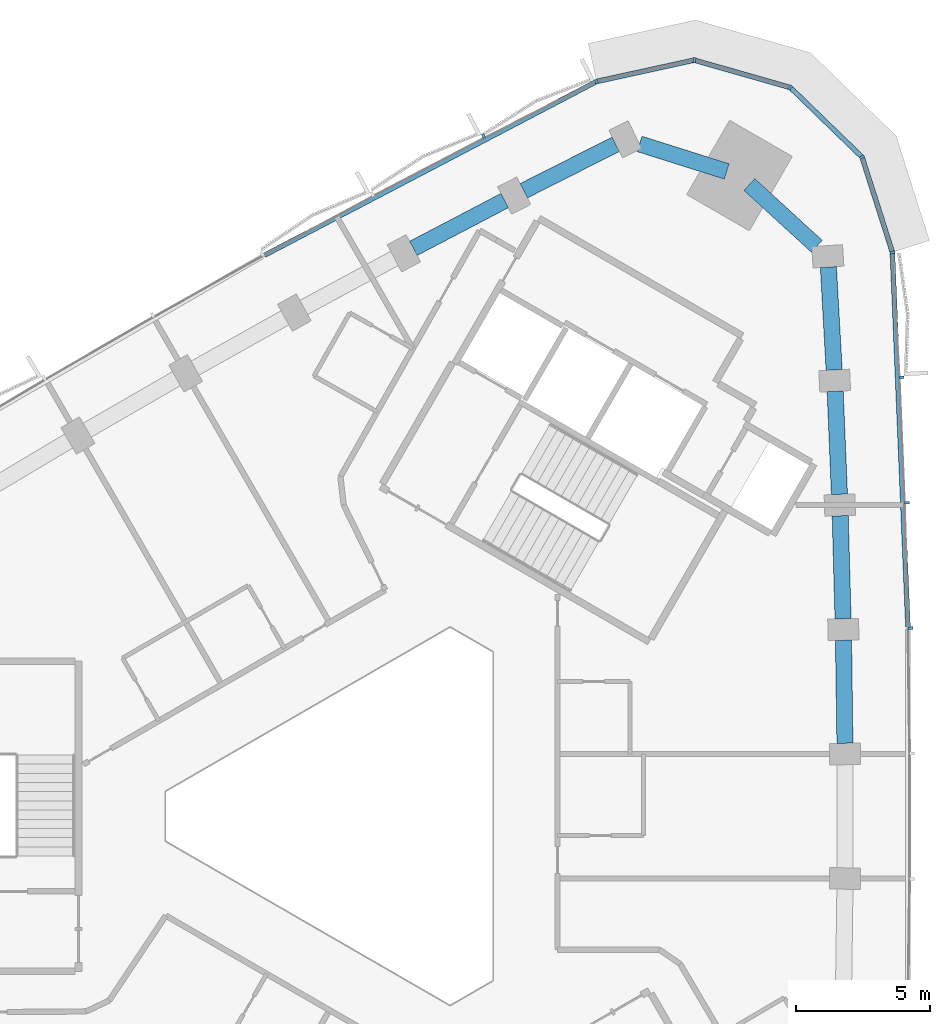
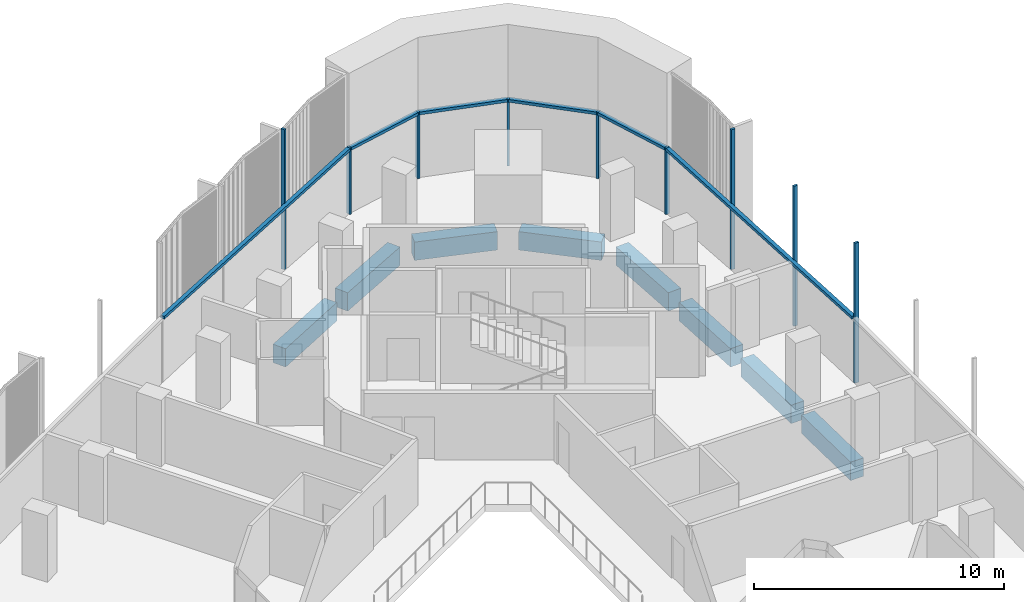
# One storey, part 5 of 13: 15 members, 8 beams, 2 elements without a shape of their own.
"""IFC4 building model written with IfcOpenShell, lengths in metres."""

import ifcopenshell
import ifcopenshell.guid

model = None  # the IFC model being written
_history = None  # IfcOwnerHistory: only IFC2X3 demands one
_inside = {}  # id of a spatial element -> (the spatial element, [elements in it])
_under = {}  # id of a project, library or spatial element -> (it, [spatial elements below it])
_declared = {}  # id of a project -> (the project, [libraries it declares])
_typed = {}  # id of a type object -> (the type object, [elements of that type])
_made_of = {}  # id of a material, layer set ... -> (it, [elements and type objects made of it])


def new_model(schema):
    """Start an empty IFC model of exactly this schema.

    Asked for "IFC4X3", IfcOpenShell would pick the latest addendum, in which some entities
    have other attributes; the version numbers below select the first issue.
    IFC2X3 requires an IfcOwnerHistory on every rooted entity: one is made here for all.
    """
    global model, _history
    if schema == "IFC4X3":
        model = ifcopenshell.file(schema_version=(4, 3, 0, 0))
    else:
        model = ifcopenshell.file(schema=schema)
    _inside.clear()
    _under.clear()
    _declared.clear()
    _typed.clear()
    _made_of.clear()
    _history = None
    if model.schema == "IFC2X3":
        org = make("IfcOrganization", Name="unknown")
        user = make(
            "IfcPersonAndOrganization",
            ThePerson=make("IfcPerson", FamilyName="unknown"),
            TheOrganization=org,
        )
        app = make(
            "IfcApplication",
            ApplicationDeveloper=org,
            Version="unknown",
            ApplicationFullName="unknown",
            ApplicationIdentifier="unknown",
        )
        _history = make(
            "IfcOwnerHistory",
            OwningUser=user,
            OwningApplication=app,
            ChangeAction="ADDED",
            CreationDate=0,
        )
    return model


def make(cls, **values):
    """One entity of the class cls with the attributes given. An attribute that is None is left unset."""
    return model.create_entity(
        cls, **{name: value for name, value in values.items() if value is not None}
    )


def rooted(cls, **values):
    """An entity with a GlobalId (a new one), such as an element, a storey or a relation."""
    return make(cls, GlobalId=ifcopenshell.guid.new(), OwnerHistory=_history, **values)


def si_unit(unit_type, name, prefix=None):
    """IfcSIUnit, for example si_unit("LENGTHUNIT", "METRE", prefix="MILLI")."""
    return make("IfcSIUnit", UnitType=unit_type, Prefix=prefix, Name=name)


def assignment(units):
    """IfcUnitAssignment: the units of a project."""
    return None if units is None else make("IfcUnitAssignment", Units=units)


def point(xyz):
    """IfcCartesianPoint."""
    return None if xyz is None else make("IfcCartesianPoint", Coordinates=xyz)


def direction(xyz):
    """IfcDirection."""
    return None if xyz is None else make("IfcDirection", DirectionRatios=xyz)


def frame(location, z_axis=None, x_axis=None):
    """IfcAxis2Placement3D, a coordinate frame: its origin and axes. An axis left out is left unset."""
    return make(
        "IfcAxis2Placement3D",
        Location=point(location),
        Axis=direction(z_axis),
        RefDirection=direction(x_axis),
    )


def frame_2d(location, x_axis=None):
    """IfcAxis2Placement2D, a coordinate frame in the plane: its origin and x axis."""
    return make(
        "IfcAxis2Placement2D", Location=point(location), RefDirection=direction(x_axis)
    )


def origin():
    """The frame at (0, 0, 0) with its axes left unset."""
    return frame((0.0, 0.0, 0.0))


def origin_2d():
    """The frame at (0, 0) in the plane with its x axis left unset."""
    return frame_2d((0.0, 0.0))


def place(relative_to, where):
    """IfcLocalPlacement: puts the frame where relative to a parent placement (None: the world)."""
    return make(
        "IfcLocalPlacement", PlacementRelTo=relative_to, RelativePlacement=where
    )


def context(
    kind, dimensions, precision=None, world=None, true_north=None, identifier=None
):
    """IfcGeometricRepresentationContext, for example the 3D "Model" context."""
    return make(
        "IfcGeometricRepresentationContext",
        ContextIdentifier=identifier,
        ContextType=kind,
        CoordinateSpaceDimension=dimensions,
        Precision=precision,
        WorldCoordinateSystem=world,
        TrueNorth=true_north,
    )


def subcontext(parent, identifier, kind, view, scale=None):
    """IfcGeometricRepresentationSubContext, for example "Body" below "Model"."""
    return make(
        "IfcGeometricRepresentationSubContext",
        ContextIdentifier=identifier,
        ContextType=kind,
        ParentContext=parent,
        TargetScale=scale,
        TargetView=view,
    )


def project(units=None, contexts=None):
    """IfcProject with its units and contexts."""
    return rooted(
        "IfcProject",
        Name="project",
        RepresentationContexts=contexts,
        UnitsInContext=assignment(units),
    )


def spatial(cls, under=None, at=None, **own):
    """A site, building, storey or space (cls), placed at a placement, below another one or the project."""
    s = rooted(cls, ObjectPlacement=at, **own)
    if under is not None:
        _under.setdefault(under.id(), (under, []))[1].append(s)
    return s


def profile(cls, at=None, kind="AREA", **sizes):
    """A parametric profile (cls). Its sizes go by their IFC names, for example OverallWidth=200.0."""
    return make(cls, ProfileType=kind, Position=at, **sizes)


def rectangle(**sizes):
    """IfcRectangleProfileDef."""
    return profile("IfcRectangleProfileDef", **sizes)


def extrude(swept, where, along, depth):
    """IfcExtrudedAreaSolid: the profile swept, set in the frame where, extruded along a direction by depth."""
    return make(
        "IfcExtrudedAreaSolid",
        SweptArea=swept,
        Position=where,
        ExtrudedDirection=direction(along),
        Depth=depth,
    )


def shape(context_of_items, identifier, shape_type, items):
    """IfcShapeRepresentation: the items that make up one representation, for example the "Body"."""
    return make(
        "IfcShapeRepresentation",
        ContextOfItems=context_of_items,
        RepresentationIdentifier=identifier,
        RepresentationType=shape_type,
        Items=items,
    )


def material(Name=None, Category=None):
    """IfcMaterial."""
    return make("IfcMaterial", Name=Name, Category=Category)


def material_profile(
    of_material, cross_section, Name=None, Category=None, Priority=None
):
    """IfcMaterialProfile: a cross section and its material."""
    return make(
        "IfcMaterialProfile",
        Name=Name,
        Material=of_material,
        Profile=cross_section,
        Priority=Priority,
        Category=Category,
    )


def profile_set(profiles, Name=None, composite=None):
    """IfcMaterialProfileSet."""
    return make(
        "IfcMaterialProfileSet",
        Name=Name,
        MaterialProfiles=profiles,
        CompositeProfile=composite,
    )


def made_of(thing, what):
    """Note that an element or type object is made of a material, layer set ...; save() writes the relation."""
    if what is not None:
        _made_of.setdefault(what.id(), (what, []))[1].append(thing)
    return thing


def type_object(cls, material=None, **own):
    """A type object (cls), such as IfcWallType, which elements share."""
    return made_of(rooted(cls, **own), material)


def element(
    cls,
    number,
    at=None,
    inside=None,
    cuts=None,
    type_object=None,
    material=None,
    context=None,
    identifier="Body",
    shape_type=None,
    held_by="IfcProductDefinitionShape",
    body=None,
    shapes=None,
    **own,
):
    """One element of the class cls, such as IfcWall. Its Tag is "e" and its number.

    at: its placement. inside: the storey or other place that contains it. cuts: it is an
    opening in that element (IfcRelVoidsElement). A single representation is given by context,
    identifier, shape_type and body (its items); several are given by shapes. held_by: the class
    of the entity that holds the representations. save() writes the other relations.
    """
    e = rooted(cls, Tag="e%d" % number, ObjectPlacement=at, **own)
    if body is not None:
        shapes = [shape(context, identifier, shape_type, body)]
    if shapes is not None:
        e.Representation = make(held_by, Representations=shapes)
    if inside is not None:
        _inside.setdefault(inside.id(), (inside, []))[1].append(e)
    if cuts is not None:
        rooted(
            "IfcRelVoidsElement", RelatingBuildingElement=cuts, RelatedOpeningElement=e
        )
    if type_object is not None:
        _typed.setdefault(type_object.id(), (type_object, []))[1].append(e)
    return made_of(e, material)


def aggregate(whole, parts):
    """IfcRelAggregates: a whole, such as a stair, and the parts it consists of."""
    return rooted("IfcRelAggregates", RelatingObject=whole, RelatedObjects=parts)


def save(model, path):
    """Write the relations noted so far, then the file.

    IfcRelAggregates (storeys below a building ...), IfcRelContainedInSpatialStructure (elements
    in a storey), IfcRelDefinesByType, IfcRelAssociatesMaterial and IfcRelDeclares: one each for
    every whole, place, type object, material and project.
    """
    for whole, parts in _under.values():
        aggregate(whole, parts)
    for where, things in _inside.values():
        rooted(
            "IfcRelContainedInSpatialStructure",
            RelatedElements=things,
            RelatingStructure=where,
        )
    for kind, things in _typed.values():
        rooted("IfcRelDefinesByType", RelatedObjects=things, RelatingType=kind)
    for what, things in _made_of.values():
        rooted("IfcRelAssociatesMaterial", RelatedObjects=things, RelatingMaterial=what)
    for by, libraries in _declared.values():
        rooted("IfcRelDeclares", RelatingContext=by, RelatedDefinitions=libraries)
    model.write(path)


model = new_model("IFC4")

# Units and contexts
model_context = context("Model", 3, precision=1e-05, world=origin(), true_north=direction((0.0, 1.0)))
body_context = subcontext(model_context, "Body", "Model", "MODEL_VIEW")
ifc_project = project(units=[si_unit("LENGTHUNIT", "METRE"), si_unit("AREAUNIT", "SQUARE_METRE"), si_unit("VOLUMEUNIT", "CUBIC_METRE"), si_unit("PLANEANGLEUNIT", "RADIAN"), si_unit("MASSUNIT", "GRAM", prefix="KILO")], contexts=[model_context])

# Site, building, storey
site_placement = place(None, origin())
site = spatial("IfcSite", under=ifc_project, at=site_placement, CompositionType="ELEMENT")
building_placement = place(site_placement, origin())
building = spatial("IfcBuilding", under=site, at=building_placement, Name="Tamra Quay Hotel Tower", CompositionType="ELEMENT")
storey_placement = place(building_placement, frame((0.0, 0.0, 186.39990234375)))
storey = spatial("IfcBuildingStorey", under=building, at=storey_placement, Name="L46", CompositionType="ELEMENT", Elevation=186.39990234375)

# Curtain wall, members
ifc_material_1 = material(Name="Aluminium 6063 anodised dark grey", Category="aluminium")
curtain_wall_type_1 = type_object("IfcCurtainWallType", Name="CW1 CURTAIN WALL", PredefinedType="NOTDEFINED", material=ifc_material_1)
curtain_wall_1_placement = place(storey_placement, origin())
curtain_wall_1 = element("IfcCurtainWall", 1, at=curtain_wall_1_placement, inside=storey, type_object=curtain_wall_type_1, Name="CW1 east face L46", PredefinedType="NOTDEFINED")
ifc_material_profile_1 = material_profile(ifc_material_1, rectangle(XDim=0.179931640625, YDim=0.10009765625, at=origin_2d()), Name="MULLION 100X180")
ifc_profile_set_1 = profile_set([ifc_material_profile_1], Name="Aluminium 6063 anodised dark grey")
member_type_1 = type_object("IfcMemberType", Name="MULLION CW1 Z4", PredefinedType="MULLION", material=ifc_profile_set_1)
member_1_placement = place(storey_placement, frame((20.1484375, 7.008544921875, 0.0), z_axis=(0.0, 0.0, 1.0), x_axis=(0.999783229349, 0.020820526248, 0.0)))
member_1 = element("IfcMember", 2, at=member_1_placement, type_object=member_type_1, Name="CW1 mullion L46.E.7", PredefinedType="MULLION", context=body_context, shape_type="SweptSolid", body=[
    extrude(rectangle(XDim=0.179931640625, YDim=0.10009765625, at=origin_2d()), origin(), (0.0, 0.0, 1.0), 6.85009765625),
])
member_2_placement = place(storey_placement, frame((20.018798828125, 11.677734375, 0.0), z_axis=(0.0, 0.0, 1.0), x_axis=(0.999398564951, 0.034677202512, 0.0)))
member_2 = element("IfcMember", 3, at=member_2_placement, type_object=member_type_1, Name="CW1 mullion L46.E.8", PredefinedType="MULLION", context=body_context, shape_type="SweptSolid", body=[
    extrude(rectangle(XDim=0.179931640625, YDim=0.10009765625, at=origin_2d()), origin(), (0.0, 0.0, 1.0), 6.85009765625),
])
member_3_placement = place(storey_placement, frame((19.824462890625, 16.346435546875, 0.0), z_axis=(0.0, 0.0, 1.0), x_axis=(0.998822750777, 0.048508891255, 0.0)))
member_3 = element("IfcMember", 4, at=member_3_placement, type_object=member_type_1, Name="CW1 mullion L46.E.9", PredefinedType="MULLION", context=body_context, shape_type="SweptSolid", body=[
    extrude(rectangle(XDim=0.179931640625, YDim=0.10009765625, at=origin_2d()), origin(), (0.0, 0.0, 1.0), 6.85009765625),
])
member_4_placement = place(storey_placement, frame((19.4755859375, 21.00537109375, 0.0), z_axis=(0.0, 0.0, 1.0), x_axis=(0.98350948997, 0.180856526394, 0.0)))
member_4 = element("IfcMember", 5, at=member_4_placement, type_object=member_type_1, Name="CW1 mullion L46.E.10", PredefinedType="MULLION", context=body_context, shape_type="SweptSolid", body=[
    extrude(rectangle(XDim=0.179931640625, YDim=0.10009765625, at=origin_2d()), origin(), (0.0, 0.0, 1.0), 3.25),
])
member_5_placement = place(storey_placement, frame((18.345947265625, 24.553466796875, 0.0), z_axis=(0.0, 0.0, 1.0), x_axis=(0.85012217174, 0.526585504089, 0.0)))
member_5 = element("IfcMember", 6, at=member_5_placement, type_object=member_type_1, Name="CW1 mullion L46.E.11", PredefinedType="MULLION", context=body_context, shape_type="SweptSolid", body=[
    extrude(rectangle(XDim=0.179931640625, YDim=0.10009765625, at=origin_2d()), origin(), (0.0, 0.0, 1.0), 3.25),
])
member_6_placement = place(storey_placement, frame((15.67236328125, 27.145263671875, 0.0), z_axis=(0.0, 0.0, 1.0), x_axis=(0.5, 0.866025403784, 0.0)))
member_6 = element("IfcMember", 7, at=member_6_placement, type_object=member_type_1, Name="CW1 mullion L46.E.12", PredefinedType="MULLION", context=body_context, shape_type="SweptSolid", body=[
    extrude(rectangle(XDim=0.179931640625, YDim=0.10009765625, at=origin_2d()), origin(), (0.0, 0.0, 1.0), 3.25),
])
member_7_placement = place(storey_placement, frame((12.091064453125, 28.164794921875, 0.0), z_axis=(0.0, 0.0, 1.0), x_axis=(0.030975337936, 0.999520149091, 0.0)))
member_7 = element("IfcMember", 8, at=member_7_placement, type_object=member_type_1, Name="CW1 mullion L46.E.13", PredefinedType="MULLION", context=body_context, shape_type="SweptSolid", body=[
    extrude(rectangle(XDim=0.179931640625, YDim=0.10009765625, at=origin_2d()), origin(), (0.0, 0.0, 1.0), 3.25),
])

curtain_wall_type_2 = type_object("IfcCurtainWallType", Name="CW2 CURTAIN WALL", PredefinedType="NOTDEFINED", material=ifc_material_1)
curtain_wall_2_placement = place(storey_placement, origin())
curtain_wall_2 = element("IfcCurtainWall", 9, at=curtain_wall_2_placement, inside=storey, type_object=curtain_wall_type_2, Name="CW2 north-west face L46", PredefinedType="NOTDEFINED")
ifc_material_profile_2 = material_profile(ifc_material_1, rectangle(XDim=0.179931640625, YDim=0.10009765625, at=origin_2d()), Name="MULLION 100X180")
ifc_profile_set_2 = profile_set([ifc_material_profile_2], Name="Aluminium 6063 anodised dark grey")
member_type_2 = type_object("IfcMemberType", Name="MULLION CW2 Z4", PredefinedType="MULLION", material=ifc_profile_set_2)
member_8_placement = place(storey_placement, frame((8.453369140625, 27.369140625, 0.0), z_axis=(0.0, 0.0, 1.0), x_axis=(-0.335128398687, 0.942172466374, 0.0)))
member_8 = element("IfcMember", 10, at=member_8_placement, type_object=member_type_2, Name="CW2 mullion L46.NW.1", PredefinedType="MULLION", context=body_context, shape_type="SweptSolid", body=[
    extrude(rectangle(XDim=0.179931640625, YDim=0.10009765625, at=origin_2d()), origin(), (0.0, 0.0, 1.0), 3.25),
])
member_9_placement = place(storey_placement, frame((4.244140625, 25.341552734375, 0.0), z_axis=(0.0, 0.0, 1.0), x_axis=(-0.457401443253, 0.889260321678, 0.0)))
member_9 = element("IfcMember", 11, at=member_9_placement, type_object=member_type_2, Name="CW2 mullion L46.NW.2", PredefinedType="MULLION", context=body_context, shape_type="SweptSolid", body=[
    extrude(rectangle(XDim=0.179931640625, YDim=0.10009765625, at=origin_2d()), origin(), (0.0, 0.0, 1.0), 6.85009765625),
])

# Beams
ifc_material_2 = material(Name="Concrete M60", Category="concrete")
ifc_material_profile_3 = material_profile(ifc_material_2, rectangle(XDim=0.60009765625, YDim=0.89990234375, at=origin_2d()), Name="SPANDREL BEAM RC 600x900")
ifc_profile_set_3 = profile_set([ifc_material_profile_3], Name="Concrete M60")
beam_type = type_object("IfcBeamType", Name="SPANDREL BEAM RC 600x900", PredefinedType="SPANDREL", material=ifc_profile_set_3)
beam_1_placement = place(storey_placement, frame((17.706787109375, 2.71875, -0.7998046875), z_axis=(-0.01380539035, 0.999904701058, 0.0), x_axis=(-0.999904701058, -0.01380539035, 0.0)))
element("IfcBeam", 12, at=beam_1_placement, inside=storey, type_object=beam_type, Name="BM-SP4-005-L46", PredefinedType="SPANDREL", context=body_context, shape_type="SweptSolid", body=[
    extrude(rectangle(XDim=0.60009765625, YDim=0.89990234375, at=origin_2d()), origin(), (0.0, 0.0, 1.0), 3.83740234375),
])
beam_2_placement = place(storey_placement, frame((17.636962890625, 7.355712890625, -0.7998046875), z_axis=(-0.02773528523, 0.999615302981, 0.0), x_axis=(-0.999615302981, -0.02773528523, 0.0)))
element("IfcBeam", 13, at=beam_2_placement, inside=storey, type_object=beam_type, Name="BM-SP4-006-L46", PredefinedType="SPANDREL", context=body_context, shape_type="SweptSolid", body=[
    extrude(rectangle(XDim=0.60009765625, YDim=0.89990234375, at=origin_2d()), origin(), (0.0, 0.0, 1.0), 3.837890625),
])
beam_3_placement = place(storey_placement, frame((17.502685546875, 11.99169921875, -0.7998046875), z_axis=(-0.041609373826, 0.999133954988, 0.0), x_axis=(-0.999133954988, -0.041609373826, 0.0)))
element("IfcBeam", 14, at=beam_3_placement, inside=storey, type_object=beam_type, Name="BM-SP4-007-L46", PredefinedType="SPANDREL", context=body_context, shape_type="SweptSolid", body=[
    extrude(rectangle(XDim=0.60009765625, YDim=0.89990234375, at=origin_2d()), origin(), (0.0, 0.0, 1.0), 3.83740234375),
])
beam_4_placement = place(storey_placement, frame((17.30419921875, 16.625, -0.7998046875), z_axis=(-0.055346700292, 0.99846719664, 0.0), x_axis=(-0.99846719664, -0.055346700292, 0.0)))
element("IfcBeam", 15, at=beam_4_placement, inside=storey, type_object=beam_type, Name="BM-SP4-008-L46", PredefinedType="SPANDREL", context=body_context, shape_type="SweptSolid", body=[
    extrude(rectangle(XDim=0.60009765625, YDim=0.89990234375, at=origin_2d()), origin(), (0.0, 0.0, 1.0), 3.837646484375),
])
beam_5_placement = place(storey_placement, frame((16.659423828125, 21.2314453125, -0.7998046875), z_axis=(-0.737716497183, 0.675110635218, 0.0), x_axis=(-0.675110635218, -0.737716497183, 0.0)))
element("IfcBeam", 16, at=beam_5_placement, inside=storey, type_object=beam_type, Name="BM-SP4-009-L46", PredefinedType="SPANDREL", context=body_context, shape_type="SweptSolid", body=[
    extrude(rectangle(XDim=0.60009765625, YDim=0.89990234375, at=origin_2d()), origin(), (0.0, 0.0, 1.0), 3.404296875),
])
beam_6_placement = place(storey_placement, frame((13.302978515625, 24.017333984375, -0.7998046875), z_axis=(-0.953502415748, 0.301385373174, 0.0), x_axis=(-0.301385373174, -0.953502415748, 0.0)))
element("IfcBeam", 17, at=beam_6_placement, inside=storey, type_object=beam_type, Name="BM-SP4-010-L46", PredefinedType="SPANDREL", context=body_context, shape_type="SweptSolid", body=[
    extrude(rectangle(XDim=0.60009765625, YDim=0.89990234375, at=origin_2d()), origin(), (0.0, 0.0, 1.0), 3.40380859375),
])
beam_7_placement = place(storey_placement, frame((9.170166015625, 25.030029296875, -0.7998046875), z_axis=(-0.892407883039, -0.451229620359, 0.0), x_axis=(0.451229620359, -0.892407883039, 0.0)))
element("IfcBeam", 18, at=beam_7_placement, inside=storey, type_object=beam_type, Name="BM-SP4-011-L46", PredefinedType="SPANDREL", context=body_context, shape_type="SweptSolid", body=[
    extrude(rectangle(XDim=0.60009765625, YDim=0.89990234375, at=origin_2d()), origin(), (0.0, 0.0, 1.0), 3.837646484375),
])
beam_8_placement = place(storey_placement, frame((5.033935546875, 22.9326171875, -0.7998046875), z_axis=(-0.886043134182, -0.463602808845, 0.0), x_axis=(0.463602808845, -0.886043134182, 0.0)))
element("IfcBeam", 19, at=beam_8_placement, inside=storey, type_object=beam_type, Name="BM-SP4-012-L46", PredefinedType="SPANDREL", context=body_context, shape_type="SweptSolid", body=[
    extrude(rectangle(XDim=0.60009765625, YDim=0.89990234375, at=origin_2d()), origin(), (0.0, 0.0, 1.0), 3.83740234375),
])

# Member
ifc_material_profile_4 = material_profile(ifc_material_1, rectangle(XDim=0.179931640625, YDim=0.139892578125, at=origin_2d()), Name="TRANSOM 180X140")
ifc_profile_set_4 = profile_set([ifc_material_profile_4], Name="Aluminium 6063 anodised dark grey")
member_type_3 = type_object("IfcMemberType", Name="TRANSOM CW1 Z4", PredefinedType="USERDEFINED", material=ifc_profile_set_4)
member_10_placement = place(storey_placement, frame((20.056884765625, 7.056640625, 3.18017578125), z_axis=(-0.041576525187, 0.999135322443, 0.0), x_axis=(-0.999135322443, -0.041576525187, 0.0)))
member_10 = element("IfcMember", 20, at=member_10_placement, type_object=member_type_3, Name="CW1 transom L46.E.7", ObjectType="TRANSOM", PredefinedType="USERDEFINED", context=body_context, shape_type="SweptSolid", body=[
    extrude(rectangle(XDim=0.179931640625, YDim=0.139892578125, at=origin_2d()), origin(), (0.0, 0.0, 1.0), 13.910888671875),
])

member_11_placement = place(storey_placement, frame((19.46044921875, 21.052978515625, 3.18017578125), z_axis=(-0.303384410911, 0.952868248614, 0.0), x_axis=(-0.952868248614, -0.303384410911, 0.0)))
member_11 = element("IfcMember", 21, at=member_11_placement, type_object=member_type_3, Name="CW1 transom L46.E.10", ObjectType="TRANSOM", PredefinedType="USERDEFINED", context=body_context, shape_type="SweptSolid", body=[
    extrude(rectangle(XDim=0.179931640625, YDim=0.139892578125, at=origin_2d()), origin(), (0.0, 0.0, 1.0), 3.623779296875),
])

member_12_placement = place(storey_placement, frame((18.31005859375, 24.58837890625, 3.18017578125), z_axis=(-0.718003439243, 0.696039554361, 0.0), x_axis=(-0.696039554361, -0.718003439243, 0.0)))
member_12 = element("IfcMember", 22, at=member_12_placement, type_object=member_type_3, Name="CW1 transom L46.E.11", ObjectType="TRANSOM", PredefinedType="USERDEFINED", context=body_context, shape_type="SweptSolid", body=[
    extrude(rectangle(XDim=0.179931640625, YDim=0.139892578125, at=origin_2d()), origin(), (0.0, 0.0, 1.0), 3.623779296875),
])

member_13_placement = place(storey_placement, frame((15.624267578125, 27.158935546875, 3.18017578125), z_axis=(-0.961782850697, 0.273813345375, 0.0), x_axis=(-0.273813345375, -0.961782850697, 0.0)))
member_13 = element("IfcMember", 23, at=member_13_placement, type_object=member_type_3, Name="CW1 transom L46.E.12", ObjectType="TRANSOM", PredefinedType="USERDEFINED", context=body_context, shape_type="SweptSolid", body=[
    extrude(rectangle(XDim=0.179931640625, YDim=0.139892578125, at=origin_2d()), origin(), (0.0, 0.0, 1.0), 3.62353515625),
])

member_14_placement = place(storey_placement, frame((12.042236328125, 28.154052734375, 3.18017578125), z_axis=(-0.976912322542, -0.21364061895, 0.0), x_axis=(0.21364061895, -0.976912322542, 0.0)))
member_14 = element("IfcMember", 24, at=member_14_placement, type_object=member_type_3, Name="CW1 transom L46.E.13", ObjectType="TRANSOM", PredefinedType="USERDEFINED", context=body_context, shape_type="SweptSolid", body=[
    extrude(rectangle(XDim=0.179931640625, YDim=0.139892578125, at=origin_2d()), origin(), (0.0, 0.0, 1.0), 3.623779296875),
])

aggregate(curtain_wall_1, [member_1, member_10, member_2, member_3, member_4, member_11, member_5, member_12, member_6, member_13, member_7, member_14])

ifc_material_profile_5 = material_profile(ifc_material_1, rectangle(XDim=0.179931640625, YDim=0.139892578125, at=origin_2d()), Name="TRANSOM 180X140")
ifc_profile_set_5 = profile_set([ifc_material_profile_5], Name="Aluminium 6063 anodised dark grey")
member_type_4 = type_object("IfcMemberType", Name="TRANSOM CW2 Z4", PredefinedType="USERDEFINED", material=ifc_profile_set_5)
member_15_placement = place(storey_placement, frame((8.40869140625, 27.346435546875, 3.18017578125), z_axis=(-0.886073593198, -0.463544590559, 0.0), x_axis=(0.463544590559, -0.886073593198, 0.0)))
member_15 = element("IfcMember", 25, at=member_15_placement, type_object=member_type_4, Name="CW2 transom L46.NW.1", ObjectType="TRANSOM", PredefinedType="USERDEFINED", context=body_context, shape_type="SweptSolid", body=[
    extrude(rectangle(XDim=0.179931640625, YDim=0.139892578125, at=origin_2d()), origin(), (0.0, 0.0, 1.0), 13.91064453125),
])

aggregate(curtain_wall_2, [member_8, member_15, member_9])

save(model, "model.ifc")
